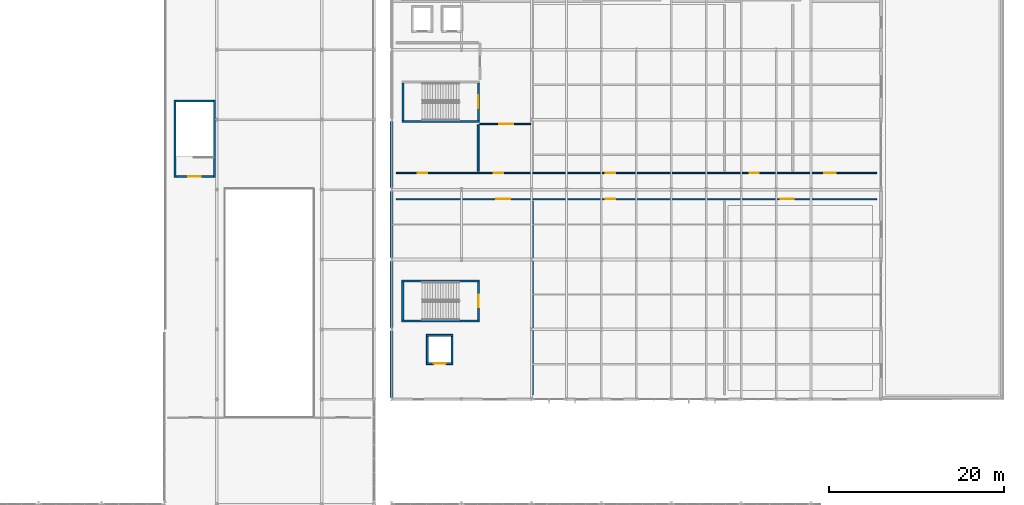
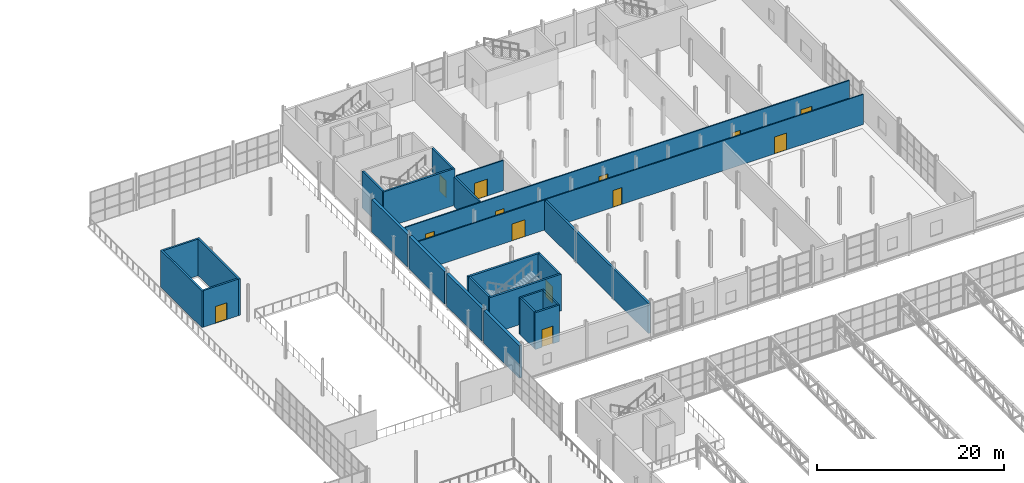
# One storey, part 125 of 143: 24 walls, 13 doors, 13 openings.
"""IFC4 building model written with IfcOpenShell, lengths in metres."""

import ifcopenshell
import ifcopenshell.guid

model = None  # the IFC model being written
_history = None  # IfcOwnerHistory: only IFC2X3 demands one
_inside = {}  # id of a spatial element -> (the spatial element, [elements in it])
_under = {}  # id of a project, library or spatial element -> (it, [spatial elements below it])
_declared = {}  # id of a project -> (the project, [libraries it declares])
_typed = {}  # id of a type object -> (the type object, [elements of that type])
_made_of = {}  # id of a material, layer set ... -> (it, [elements and type objects made of it])


def new_model(schema):
    """Start an empty IFC model of exactly this schema.

    Asked for "IFC4X3", IfcOpenShell would pick the latest addendum, in which some entities
    have other attributes; the version numbers below select the first issue.
    IFC2X3 requires an IfcOwnerHistory on every rooted entity: one is made here for all.
    """
    global model, _history
    if schema == "IFC4X3":
        model = ifcopenshell.file(schema_version=(4, 3, 0, 0))
    else:
        model = ifcopenshell.file(schema=schema)
    _inside.clear()
    _under.clear()
    _declared.clear()
    _typed.clear()
    _made_of.clear()
    _history = None
    if model.schema == "IFC2X3":
        org = make("IfcOrganization", Name="unknown")
        user = make(
            "IfcPersonAndOrganization",
            ThePerson=make("IfcPerson", FamilyName="unknown"),
            TheOrganization=org,
        )
        app = make(
            "IfcApplication",
            ApplicationDeveloper=org,
            Version="unknown",
            ApplicationFullName="unknown",
            ApplicationIdentifier="unknown",
        )
        _history = make(
            "IfcOwnerHistory",
            OwningUser=user,
            OwningApplication=app,
            ChangeAction="ADDED",
            CreationDate=0,
        )
    return model


def make(cls, **values):
    """One entity of the class cls with the attributes given. An attribute that is None is left unset."""
    return model.create_entity(
        cls, **{name: value for name, value in values.items() if value is not None}
    )


def rooted(cls, **values):
    """An entity with a GlobalId (a new one), such as an element, a storey or a relation."""
    return make(cls, GlobalId=ifcopenshell.guid.new(), OwnerHistory=_history, **values)


def si_unit(unit_type, name, prefix=None):
    """IfcSIUnit, for example si_unit("LENGTHUNIT", "METRE", prefix="MILLI")."""
    return make("IfcSIUnit", UnitType=unit_type, Prefix=prefix, Name=name)


def derived_unit(unit_type, elements):
    """IfcDerivedUnit: a product of units, each with its exponent."""
    return make(
        "IfcDerivedUnit",
        Elements=[
            make("IfcDerivedUnitElement", Unit=unit, Exponent=power)
            for unit, power in elements
        ],
        UnitType=unit_type,
    )


def assignment(units):
    """IfcUnitAssignment: the units of a project."""
    return None if units is None else make("IfcUnitAssignment", Units=units)


def point(xyz):
    """IfcCartesianPoint."""
    return None if xyz is None else make("IfcCartesianPoint", Coordinates=xyz)


def direction(xyz):
    """IfcDirection."""
    return None if xyz is None else make("IfcDirection", DirectionRatios=xyz)


def frame(location, z_axis=None, x_axis=None):
    """IfcAxis2Placement3D, a coordinate frame: its origin and axes. An axis left out is left unset."""
    return make(
        "IfcAxis2Placement3D",
        Location=point(location),
        Axis=direction(z_axis),
        RefDirection=direction(x_axis),
    )


def frame_2d(location, x_axis=None):
    """IfcAxis2Placement2D, a coordinate frame in the plane: its origin and x axis."""
    return make(
        "IfcAxis2Placement2D", Location=point(location), RefDirection=direction(x_axis)
    )


def origin():
    """The frame at (0, 0, 0) with its axes left unset."""
    return frame((0.0, 0.0, 0.0))


def place(relative_to, where):
    """IfcLocalPlacement: puts the frame where relative to a parent placement (None: the world)."""
    return make(
        "IfcLocalPlacement", PlacementRelTo=relative_to, RelativePlacement=where
    )


def context(
    kind, dimensions, precision=None, world=None, true_north=None, identifier=None
):
    """IfcGeometricRepresentationContext, for example the 3D "Model" context."""
    return make(
        "IfcGeometricRepresentationContext",
        ContextIdentifier=identifier,
        ContextType=kind,
        CoordinateSpaceDimension=dimensions,
        Precision=precision,
        WorldCoordinateSystem=world,
        TrueNorth=true_north,
    )


def subcontext(parent, identifier, kind, view, scale=None):
    """IfcGeometricRepresentationSubContext, for example "Body" below "Model"."""
    return make(
        "IfcGeometricRepresentationSubContext",
        ContextIdentifier=identifier,
        ContextType=kind,
        ParentContext=parent,
        TargetScale=scale,
        TargetView=view,
    )


def project(units=None, contexts=None):
    """IfcProject with its units and contexts."""
    return rooted(
        "IfcProject",
        Name="project",
        RepresentationContexts=contexts,
        UnitsInContext=assignment(units),
    )


def spatial(cls, under=None, at=None, **own):
    """A site, building, storey or space (cls), placed at a placement, below another one or the project."""
    s = rooted(cls, ObjectPlacement=at, **own)
    if under is not None:
        _under.setdefault(under.id(), (under, []))[1].append(s)
    return s


def profile(cls, at=None, kind="AREA", **sizes):
    """A parametric profile (cls). Its sizes go by their IFC names, for example OverallWidth=200.0."""
    return make(cls, ProfileType=kind, Position=at, **sizes)


def rectangle(**sizes):
    """IfcRectangleProfileDef."""
    return profile("IfcRectangleProfileDef", **sizes)


def extrude(swept, where, along, depth):
    """IfcExtrudedAreaSolid: the profile swept, set in the frame where, extruded along a direction by depth."""
    return make(
        "IfcExtrudedAreaSolid",
        SweptArea=swept,
        Position=where,
        ExtrudedDirection=direction(along),
        Depth=depth,
    )


def shape(context_of_items, identifier, shape_type, items):
    """IfcShapeRepresentation: the items that make up one representation, for example the "Body"."""
    return make(
        "IfcShapeRepresentation",
        ContextOfItems=context_of_items,
        RepresentationIdentifier=identifier,
        RepresentationType=shape_type,
        Items=items,
    )


def material(Name=None, Category=None):
    """IfcMaterial."""
    return make("IfcMaterial", Name=Name, Category=Category)


def layer(
    of_material, thickness, ventilated=None, Name=None, Category=None, Priority=None
):
    """IfcMaterialLayer: one layer of a wall or slab, of a material (None: an air gap)."""
    return make(
        "IfcMaterialLayer",
        Material=of_material,
        LayerThickness=thickness,
        IsVentilated=ventilated,
        Name=Name,
        Category=Category,
        Priority=Priority,
    )


def layer_set(layers, Name=None):
    """IfcMaterialLayerSet."""
    return make("IfcMaterialLayerSet", MaterialLayers=layers, LayerSetName=Name)


def made_of(thing, what):
    """Note that an element or type object is made of a material, layer set ...; save() writes the relation."""
    if what is not None:
        _made_of.setdefault(what.id(), (what, []))[1].append(thing)
    return thing


def type_object(cls, material=None, **own):
    """A type object (cls), such as IfcWallType, which elements share."""
    return made_of(rooted(cls, **own), material)


def element(
    cls,
    number,
    at=None,
    inside=None,
    cuts=None,
    type_object=None,
    material=None,
    context=None,
    identifier="Body",
    shape_type=None,
    held_by="IfcProductDefinitionShape",
    body=None,
    shapes=None,
    **own,
):
    """One element of the class cls, such as IfcWall. Its Tag is "e" and its number.

    at: its placement. inside: the storey or other place that contains it. cuts: it is an
    opening in that element (IfcRelVoidsElement). A single representation is given by context,
    identifier, shape_type and body (its items); several are given by shapes. held_by: the class
    of the entity that holds the representations. save() writes the other relations.
    """
    e = rooted(cls, Tag="e%d" % number, ObjectPlacement=at, **own)
    if body is not None:
        shapes = [shape(context, identifier, shape_type, body)]
    if shapes is not None:
        e.Representation = make(held_by, Representations=shapes)
    if inside is not None:
        _inside.setdefault(inside.id(), (inside, []))[1].append(e)
    if cuts is not None:
        rooted(
            "IfcRelVoidsElement", RelatingBuildingElement=cuts, RelatedOpeningElement=e
        )
    if type_object is not None:
        _typed.setdefault(type_object.id(), (type_object, []))[1].append(e)
    return made_of(e, material)


def fill(opening, filler):
    """IfcRelFillsElement: the door or window that sits in an opening."""
    return rooted(
        "IfcRelFillsElement",
        RelatingOpeningElement=opening,
        RelatedBuildingElement=filler,
    )


def aggregate(whole, parts):
    """IfcRelAggregates: a whole, such as a stair, and the parts it consists of."""
    return rooted("IfcRelAggregates", RelatingObject=whole, RelatedObjects=parts)


def save(model, path):
    """Write the relations noted so far, then the file.

    IfcRelAggregates (storeys below a building ...), IfcRelContainedInSpatialStructure (elements
    in a storey), IfcRelDefinesByType, IfcRelAssociatesMaterial and IfcRelDeclares: one each for
    every whole, place, type object, material and project.
    """
    for whole, parts in _under.values():
        aggregate(whole, parts)
    for where, things in _inside.values():
        rooted(
            "IfcRelContainedInSpatialStructure",
            RelatedElements=things,
            RelatingStructure=where,
        )
    for kind, things in _typed.values():
        rooted("IfcRelDefinesByType", RelatedObjects=things, RelatingType=kind)
    for what, things in _made_of.values():
        rooted("IfcRelAssociatesMaterial", RelatedObjects=things, RelatingMaterial=what)
    for by, libraries in _declared.values():
        rooted("IfcRelDeclares", RelatingContext=by, RelatedDefinitions=libraries)
    model.write(path)


model = new_model("IFC4")

# Units and contexts
model_context = context("Model", 3, precision=1e-05, world=origin(), true_north=direction((0.0, 1.0)))
body_context = subcontext(model_context, "Body", "Model", "MODEL_VIEW")
ifc_project = project(units=[si_unit("LENGTHUNIT", "METRE"), si_unit("AREAUNIT", "SQUARE_METRE"), si_unit("VOLUMEUNIT", "CUBIC_METRE"), si_unit("PLANEANGLEUNIT", "RADIAN"), si_unit("MASSUNIT", "GRAM", prefix="KILO"), derived_unit("THERMALTRANSMITTANCEUNIT", [(si_unit("POWERUNIT", "WATT"), 1), (si_unit("LENGTHUNIT", "METRE"), -2), (si_unit("THERMODYNAMICTEMPERATUREUNIT", "KELVIN"), -1)])], contexts=[model_context])

# Site, building, storey
site_placement = place(None, origin())
site = spatial("IfcSite", under=ifc_project, at=site_placement, CompositionType="ELEMENT")
building_placement = place(site_placement, origin())
building = spatial("IfcBuilding", under=site, at=building_placement, Name="Keldorne Ridge Multi-Sports Centre", CompositionType="ELEMENT")
storey_placement = place(building_placement, frame((0.0, 0.0, 4.800048828125)))
storey = spatial("IfcBuildingStorey", under=building, at=storey_placement, Name="L01", CompositionType="ELEMENT", Elevation=4.800048828125)

# Walls
ifc_material_1 = material(Name="Moisture-resistant stud plumbing wall")
ifc_layer_1 = layer(ifc_material_1, 0.219970703125)
ifc_layer_set_1 = layer_set([ifc_layer_1])
wall_type_1 = type_object("IfcWallType", Name="WAL-PL-01", PredefinedType="PLUMBINGWALL", material=ifc_layer_set_1)
wall_1_placement = place(storey_placement, frame((113.89990234375, 92.10009765625, 0.0), z_axis=(0.0, 0.0, 1.0), x_axis=(0.0, 1.0, 0.0)))
element("IfcWall", 1, at=wall_1_placement, inside=storey, type_object=wall_type_1, Name="First floor Male/Accessible WC divider IW-L01-045", PredefinedType="PLUMBINGWALL", context=body_context, shape_type="SweptSolid", body=[
    extrude(rectangle(XDim=5.2998046875, YDim=0.219970703125, at=frame_2d((2.64990234375, 0.0))), origin(), (0.0, 0.0, 1.0), 3.949951171875),
])
ifc_material_2 = material(Name="Moisture-resistant twin plumbing wall")
ifc_layer_2 = layer(ifc_material_2, 0.260009765625)
ifc_layer_set_2 = layer_set([ifc_layer_2])
wall_type_2 = type_object("IfcWallType", Name="WAL-PL-02", PredefinedType="PLUMBINGWALL", material=ifc_layer_set_2)
wall_2_placement = place(storey_placement, frame((120.10009765625, 66.5, 0.0), z_axis=(0.0, 0.0, 1.0), x_axis=(0.0, 1.0, 0.0)))
element("IfcWall", 2, at=wall_2_placement, inside=storey, type_object=wall_type_2, Name="First floor compartment wall IW-L01-048", PredefinedType="PLUMBINGWALL", context=body_context, shape_type="SweptSolid", body=[
    extrude(rectangle(XDim=22.199951171875, YDim=0.260009765625, at=frame_2d((11.10009765625, 0.0))), origin(), (0.0, 0.0, 1.0), 3.949951171875),
])
ifc_material_3 = material(Name="Precast concrete C40/50", Category="concrete")
ifc_layer_3 = layer(ifc_material_3, 0.360107421875)
ifc_layer_set_3 = layer_set([ifc_layer_3], Name="Precast concrete C40/50")
wall_type_3 = type_object("IfcWallType", Name="WAL-PR-W2", PredefinedType="STANDARD", material=ifc_layer_set_3)
for number, where, z_axis, x_axis, name in (
    (3, (104.0, 73.818115234375, 0.0), (0.0, 0.0, 1.0), (0.0, -1.0, 0.0), "East Wing movement-joint wall L01.1"),
    (4, (104.0, 81.818115234375, 0.0), (0.0, 0.0, 1.0), (0.0, -1.0, 0.0), "East Wing movement-joint wall L01.2"),
    (5, (104.0, 89.818115234375, 0.0), (0.0, 0.0, 1.0), (0.0, -1.0, 0.0), "East Wing movement-joint wall L01.3"),
    (6, (104.0, 97.818115234375, 0.0), (0.0, 0.0, 1.0), (0.0, -1.0, 0.0), "East Wing movement-joint wall L01.4"),
):
    element("IfcWall", number, at=place(storey_placement, frame(where, z_axis=z_axis, x_axis=x_axis)), inside=storey, type_object=wall_type_3, Name=name, PredefinedType="STANDARD", context=body_context, shape_type="SweptSolid", body=[
        extrude(rectangle(XDim=7.63623046875, YDim=0.360107421875, at=frame_2d((3.818115234375, 0.0))), origin(), (0.0, 0.0, 1.0), 4.25),
    ])

# Wall, openings, doors
ifc_material_4 = material(Name="Fire-rated twin stud plasterboard")
ifc_layer_4 = layer(ifc_material_4, 0.14990234375)
ifc_layer_set_4 = layer_set([ifc_layer_4])
wall_type_4 = type_object("IfcWallType", Name="WAL-PT-02", PredefinedType="PARTITIONING", material=ifc_layer_set_4)
wall_3_placement = place(storey_placement, frame((104.5, 88.89990234375, 0.0), z_axis=(0.0, 0.0, 1.0), x_axis=(1.0, 0.0, 0.0)))
wall_3 = element("IfcWall", 7, at=wall_3_placement, inside=storey, type_object=wall_type_4, Name="First floor corridor south wall IW-L01-042", PredefinedType="PARTITIONING", context=body_context, shape_type="SweptSolid", body=[
    extrude(rectangle(XDim=55.0, YDim=0.14990234375, at=frame_2d((27.5, 0.0))), origin(), (0.0, 0.0, 1.0), 3.949951171875),
])
opening_1_placement = place(wall_3_placement, frame((11.5, 0.0, 0.0)))
opening_1 = element("IfcOpeningElement", 8, at=opening_1_placement, cuts=wall_3, Name="Opening D-04", PredefinedType="OPENING", context=body_context, shape_type="SweptSolid", body=[
    extrude(rectangle(XDim=1.60009765625, YDim=2.199951171875, at=frame_2d((0.800048828125, 1.10009765625))), frame((0.0, 0.0849609375, 0.0), z_axis=(0.0, -1.0, 0.0), x_axis=(1.0, 0.0, 0.0)), (0.0, 0.0, 1.0), 0.169921875),
])
opening_2_placement = place(wall_3_placement, frame((24.0, 0.0, 0.0)))
opening_2 = element("IfcOpeningElement", 9, at=opening_2_placement, cuts=wall_3, Name="Opening D-03", PredefinedType="OPENING", context=body_context, shape_type="SweptSolid", body=[
    extrude(rectangle(XDim=1.10009765625, YDim=2.199951171875, at=frame_2d((0.550048828125, 1.10009765625))), frame((0.0, 0.0849609375, 0.0), z_axis=(0.0, -1.0, 0.0), x_axis=(1.0, 0.0, 0.0)), (0.0, 0.0, 1.0), 0.169921875),
])
opening_3_placement = place(wall_3_placement, frame((44.0, 0.0, 0.0)))
opening_3 = element("IfcOpeningElement", 10, at=opening_3_placement, cuts=wall_3, Name="Opening D-10", PredefinedType="OPENING", context=body_context, shape_type="SweptSolid", body=[
    extrude(rectangle(XDim=1.5, YDim=2.199951171875, at=frame_2d((0.75, 1.10009765625))), frame((0.0, 0.0849609375, 0.0), z_axis=(0.0, -1.0, 0.0), x_axis=(1.0, 0.0, 0.0)), (0.0, 0.0, 1.0), 0.169921875),
])
ifc_material_5 = material(Name="Timber fire-resisting leaf", Category="wood")
door_type_1 = type_object("IfcDoorType", Name="DR-D-03", OperationType="NOTDEFINED", PredefinedType="DOOR", material=ifc_material_5)
door_1_placement = place(opening_2_placement, origin())
door_1 = element("IfcDoor", 11, at=door_1_placement, inside=storey, type_object=door_type_1, Name="Public Changing Village South door D-102", OperationType="SINGLE_SWING_RIGHT", OverallHeight=2.199951171875, OverallWidth=1.10009765625, PredefinedType="DOOR", context=body_context, shape_type="SweptSolid", body=[
    extrude(rectangle(XDim=1.10009765625, YDim=2.199951171875, at=frame_2d((0.550048828125, 1.10009765625))), frame((0.0, 0.02490234375, 0.0), z_axis=(0.0, -1.0, 0.0), x_axis=(1.0, 0.0, 0.0)), (0.0, 0.0, 1.0), 0.050048828125),
])
fill(opening_2, door_1)
ifc_material_6 = material(Name="Timber fire-resisting pair", Category="wood")
door_type_2 = type_object("IfcDoorType", Name="DR-D-04", OperationType="NOTDEFINED", PredefinedType="DOOR", material=ifc_material_6)
door_2_placement = place(opening_1_placement, origin())
door_2 = element("IfcDoor", 12, at=door_2_placement, inside=storey, type_object=door_type_2, Name="South lift lobby L01 fire door D-101", OperationType="DOUBLE_DOOR_SINGLE_SWING", OverallHeight=2.199951171875, OverallWidth=1.60009765625, PredefinedType="DOOR", context=body_context, shape_type="SweptSolid", body=[
    extrude(rectangle(XDim=1.60009765625, YDim=2.199951171875, at=frame_2d((0.800048828125, 1.10009765625))), frame((0.0, 0.02490234375, 0.0), z_axis=(0.0, -1.0, 0.0), x_axis=(1.0, 0.0, 0.0)), (0.0, 0.0, 1.0), 0.050048828125),
])
fill(opening_1, door_2)
ifc_material_7 = material(Name="Timber acoustic pair", Category="wood")
door_type_3 = type_object("IfcDoorType", Name="DR-D-10", OperationType="NOTDEFINED", PredefinedType="DOOR", material=ifc_material_7)
door_3_placement = place(opening_3_placement, origin())
door_3 = element("IfcDoor", 13, at=door_3_placement, inside=storey, type_object=door_type_3, Name="Fitness Gymnasium double door D-103", OperationType="DOUBLE_DOOR_SINGLE_SWING", OverallHeight=2.199951171875, OverallWidth=1.5, PredefinedType="DOOR", context=body_context, shape_type="SweptSolid", body=[
    extrude(rectangle(XDim=1.5, YDim=2.199951171875, at=frame_2d((0.75, 1.10009765625))), frame((0.0, 0.02490234375, 0.0), z_axis=(0.0, -1.0, 0.0), x_axis=(1.0, 0.0, 0.0)), (0.0, 0.0, 1.0), 0.050048828125),
])
fill(opening_3, door_3)

wall_4_placement = place(storey_placement, frame((104.5, 91.89990234375, 0.0), z_axis=(0.0, 0.0, 1.0), x_axis=(1.0, 0.0, 0.0)))
wall_4 = element("IfcWall", 14, at=wall_4_placement, inside=storey, type_object=wall_type_4, Name="First floor corridor north wall IW-L01-043", PredefinedType="PARTITIONING", context=body_context, shape_type="SweptSolid", body=[
    extrude(rectangle(XDim=55.0, YDim=0.14990234375, at=frame_2d((27.5, 0.0))), origin(), (0.0, 0.0, 1.0), 3.949951171875),
])
opening_4_placement = place(wall_4_placement, frame((2.5, 0.0, 0.0)))
opening_4 = element("IfcOpeningElement", 15, at=opening_4_placement, cuts=wall_4, Name="Opening D-03", PredefinedType="OPENING", context=body_context, shape_type="SweptSolid", body=[
    extrude(rectangle(XDim=1.10009765625, YDim=2.199951171875, at=frame_2d((0.550048828125, 1.10009765625))), frame((0.0, 0.0849609375, 0.0), z_axis=(0.0, -1.0, 0.0), x_axis=(1.0, 0.0, 0.0)), (0.0, 0.0, 1.0), 0.169921875),
])
opening_5_placement = place(wall_4_placement, frame((11.199951171875, 0.0, 0.0)))
opening_5 = element("IfcOpeningElement", 16, at=opening_5_placement, cuts=wall_4, Name="Opening D-08", PredefinedType="OPENING", context=body_context, shape_type="SweptSolid", body=[
    extrude(rectangle(XDim=1.050048828125, YDim=2.14990234375, at=frame_2d((0.52490234375, 1.074951171875))), frame((0.0, 0.0849609375, 0.0), z_axis=(0.0, -1.0, 0.0), x_axis=(1.0, 0.0, 0.0)), (0.0, 0.0, 1.0), 0.169921875),
])
opening_6_placement = place(wall_4_placement, frame((24.0, 0.0, 0.0)))
opening_6 = element("IfcOpeningElement", 17, at=opening_6_placement, cuts=wall_4, Name="Opening D-03", PredefinedType="OPENING", context=body_context, shape_type="SweptSolid", body=[
    extrude(rectangle(XDim=1.10009765625, YDim=2.199951171875, at=frame_2d((0.550048828125, 1.10009765625))), frame((0.0, 0.0849609375, 0.0), z_axis=(0.0, -1.0, 0.0), x_axis=(1.0, 0.0, 0.0)), (0.0, 0.0, 1.0), 0.169921875),
])
opening_7_placement = place(wall_4_placement, frame((40.5, 0.0, 0.0)))
opening_7 = element("IfcOpeningElement", 18, at=opening_7_placement, cuts=wall_4, Name="Opening D-02", PredefinedType="OPENING", context=body_context, shape_type="SweptSolid", body=[
    extrude(rectangle(XDim=1.0, YDim=2.14990234375, at=frame_2d((0.5, 1.074951171875))), frame((0.0, 0.0849609375, 0.0), z_axis=(0.0, -1.0, 0.0), x_axis=(1.0, 0.0, 0.0)), (0.0, 0.0, 1.0), 0.169921875),
])
opening_8_placement = place(wall_4_placement, frame((49.0, 0.0, 0.0)))
opening_8 = element("IfcOpeningElement", 19, at=opening_8_placement, cuts=wall_4, Name="Opening D-09", PredefinedType="OPENING", context=body_context, shape_type="SweptSolid", body=[
    extrude(rectangle(XDim=1.35009765625, YDim=2.199951171875, at=frame_2d((0.675048828125, 1.10009765625))), frame((0.0, 0.0849609375, 0.0), z_axis=(0.0, -1.0, 0.0), x_axis=(1.0, 0.0, 0.0)), (0.0, 0.0, 1.0), 0.169921875),
])
ifc_material_8 = material(Name="Timber acoustic leaf", Category="wood")
door_type_4 = type_object("IfcDoorType", Name="DR-D-02", OperationType="NOTDEFINED", PredefinedType="DOOR", material=ifc_material_8)
door_4_placement = place(opening_7_placement, origin())
door_4 = element("IfcDoor", 20, at=door_4_placement, inside=storey, type_object=door_type_4, Name="Sports Administration Office door D-107", OperationType="SINGLE_SWING_RIGHT", OverallHeight=2.14990234375, OverallWidth=1.0, PredefinedType="DOOR", context=body_context, shape_type="SweptSolid", body=[
    extrude(rectangle(XDim=1.0, YDim=2.14990234375, at=frame_2d((0.5, 1.074951171875))), frame((0.0, 0.02490234375, 0.0), z_axis=(0.0, -1.0, 0.0), x_axis=(1.0, 0.0, 0.0)), (0.0, 0.0, 1.0), 0.050048828125),
])
fill(opening_7, door_4)
door_5_placement = place(opening_4_placement, origin())
door_5 = element("IfcDoor", 21, at=door_5_placement, inside=storey, type_object=door_type_1, Name="First Floor Male WC door D-104", OperationType="SINGLE_SWING_LEFT", OverallHeight=2.199951171875, OverallWidth=1.10009765625, PredefinedType="DOOR", context=body_context, shape_type="SweptSolid", body=[
    extrude(rectangle(XDim=1.10009765625, YDim=2.199951171875, at=frame_2d((0.550048828125, 1.10009765625))), frame((0.0, 0.02490234375, 0.0), z_axis=(0.0, -1.0, 0.0), x_axis=(1.0, 0.0, 0.0)), (0.0, 0.0, 1.0), 0.050048828125),
])
fill(opening_4, door_5)
door_6_placement = place(opening_6_placement, origin())
door_6 = element("IfcDoor", 22, at=door_6_placement, inside=storey, type_object=door_type_1, Name="Public Changing Village North door D-106", OperationType="SINGLE_SWING_LEFT", OverallHeight=2.199951171875, OverallWidth=1.10009765625, PredefinedType="DOOR", context=body_context, shape_type="SweptSolid", body=[
    extrude(rectangle(XDim=1.10009765625, YDim=2.199951171875, at=frame_2d((0.550048828125, 1.10009765625))), frame((0.0, 0.02490234375, 0.0), z_axis=(0.0, -1.0, 0.0), x_axis=(1.0, 0.0, 0.0)), (0.0, 0.0, 1.0), 0.050048828125),
])
fill(opening_6, door_6)
ifc_material_9 = material(Name="Timber moisture-resistant leaf", Category="wood")
door_type_5 = type_object("IfcDoorType", Name="DR-D-08", OperationType="NOTDEFINED", PredefinedType="DOOR", material=ifc_material_9)
door_7_placement = place(opening_5_placement, origin())
door_7 = element("IfcDoor", 23, at=door_7_placement, inside=storey, type_object=door_type_5, Name="First Floor Accessible WC door D-105", OperationType="SINGLE_SWING_RIGHT", OverallHeight=2.14990234375, OverallWidth=1.050048828125, PredefinedType="DOOR", context=body_context, shape_type="SweptSolid", body=[
    extrude(rectangle(XDim=1.050048828125, YDim=2.14990234375, at=frame_2d((0.52490234375, 1.074951171875))), frame((0.0, 0.02490234375, 0.0), z_axis=(0.0, -1.0, 0.0), x_axis=(1.0, 0.0, 0.0)), (0.0, 0.0, 1.0), 0.050048828125),
])
fill(opening_5, door_7)
door_type_6 = type_object("IfcDoorType", Name="DR-D-09", OperationType="NOTDEFINED", PredefinedType="DOOR", material=ifc_material_7)
door_8_placement = place(opening_8_placement, origin())
door_8 = element("IfcDoor", 24, at=door_8_placement, inside=storey, type_object=door_type_6, Name="Coaching Seminar Room door D-108", OperationType="DOUBLE_DOOR_SINGLE_SWING", OverallHeight=2.199951171875, OverallWidth=1.35009765625, PredefinedType="DOOR", context=body_context, shape_type="SweptSolid", body=[
    extrude(rectangle(XDim=1.35009765625, YDim=2.199951171875, at=frame_2d((0.675048828125, 1.10009765625))), frame((0.0, 0.02490234375, 0.0), z_axis=(0.0, -1.0, 0.0), x_axis=(1.0, 0.0, 0.0)), (0.0, 0.0, 1.0), 0.050048828125),
])
fill(opening_8, door_8)

# Wall, opening, door
wall_5_placement = place(storey_placement, frame((114.10009765625, 97.5, 0.0), z_axis=(0.0, 0.0, 1.0), x_axis=(1.0, 0.0, 0.0)))
wall_5 = element("IfcWall", 25, at=wall_5_placement, inside=storey, type_object=wall_type_4, Name="First floor north lift lobby south wall IW-L01-044", PredefinedType="PARTITIONING", context=body_context, shape_type="SweptSolid", body=[
    extrude(rectangle(XDim=5.7998046875, YDim=0.14990234375, at=frame_2d((2.89990234375, 0.0))), origin(), (0.0, 0.0, 1.0), 3.949951171875),
])
opening_9_placement = place(wall_5_placement, frame((2.199951171875, 0.0, 0.0)))
opening_9 = element("IfcOpeningElement", 26, at=opening_9_placement, cuts=wall_5, Name="Opening D-04", PredefinedType="OPENING", context=body_context, shape_type="SweptSolid", body=[
    extrude(rectangle(XDim=1.60009765625, YDim=2.199951171875, at=frame_2d((0.800048828125, 1.10009765625))), frame((0.0, 0.0849609375, 0.0), z_axis=(0.0, -1.0, 0.0), x_axis=(1.0, 0.0, 0.0)), (0.0, 0.0, 1.0), 0.169921875),
])
door_9_placement = place(opening_9_placement, origin())
door_9 = element("IfcDoor", 27, at=door_9_placement, inside=storey, type_object=door_type_2, Name="North lift lobby L01 fire door D-109", OperationType="DOUBLE_DOOR_SINGLE_SWING", OverallHeight=2.199951171875, OverallWidth=1.60009765625, PredefinedType="DOOR", context=body_context, shape_type="SweptSolid", body=[
    extrude(rectangle(XDim=1.60009765625, YDim=2.199951171875, at=frame_2d((0.800048828125, 1.10009765625))), frame((0.0, 0.02490234375, 0.0), z_axis=(0.0, -1.0, 0.0), x_axis=(1.0, 0.0, 0.0)), (0.0, 0.0, 1.0), 0.050048828125),
])
fill(opening_9, door_9)

ifc_material_10 = material(Name="Concrete C40/50", Category="concrete")
ifc_layer_5 = layer(ifc_material_10, 0.25)
ifc_layer_set_5 = layer_set([ifc_layer_5], Name="Concrete C40/50")
wall_type_5 = type_object("IfcWallType", Name="WAL-SW01", PredefinedType="SHEAR", material=ifc_layer_set_5)
wall_6_placement = place(storey_placement, frame((113.925048828125, 75.10009765625, 0.0), z_axis=(0.0, 0.0, 1.0), x_axis=(0.0, 1.0, 0.0)))
wall_6 = element("IfcWall", 28, at=wall_6_placement, inside=storey, type_object=wall_type_5, Name="Stair ST-02 shaft wall L01 NEAR", PredefinedType="SHEAR", context=body_context, shape_type="SweptSolid", body=[
    extrude(rectangle(XDim=4.2998046875, YDim=0.25, at=frame_2d((2.14990234375, 0.0))), origin(), (0.0, 0.0, 1.0), 4.800048828125),
])
opening_10_placement = place(wall_6_placement, frame((1.425048828125, 0.0, 0.0)))
opening_10 = element("IfcOpeningElement", 29, at=opening_10_placement, cuts=wall_6, Name="Opening D-05", PredefinedType="OPENING", context=body_context, shape_type="SweptSolid", body=[
    extrude(rectangle(XDim=1.449951171875, YDim=2.199951171875, at=frame_2d((0.72509765625, 1.10009765625))), frame((0.0, 0.135009765625, 0.0), z_axis=(0.0, -1.0, 0.0), x_axis=(1.0, 0.0, 0.0)), (0.0, 0.0, 1.0), 0.27001953125),
])
ifc_material_11 = material(Name="Steel fire-resisting pair", Category="steel")
door_type_7 = type_object("IfcDoorType", Name="DR-D-05", OperationType="NOTDEFINED", PredefinedType="DOOR", material=ifc_material_11)
door_10_placement = place(opening_10_placement, origin())
door_10 = element("IfcDoor", 30, at=door_10_placement, inside=storey, type_object=door_type_7, Name="Stair ST-02 L01 fire door D-010", OperationType="DOUBLE_DOOR_SINGLE_SWING", OverallHeight=2.199951171875, OverallWidth=1.449951171875, PredefinedType="DOOR", context=body_context, shape_type="SweptSolid", body=[
    extrude(rectangle(XDim=1.449951171875, YDim=2.199951171875, at=frame_2d((0.72509765625, 1.10009765625))), frame((0.0, 0.02490234375, 0.0), z_axis=(0.0, -1.0, 0.0), x_axis=(1.0, 0.0, 0.0)), (0.0, 0.0, 1.0), 0.050048828125),
])
fill(opening_10, door_10)

# Walls
wall_7_placement = place(storey_placement, frame((105.27490234375, 79.39990234375, 0.0), z_axis=(0.0, 0.0, 1.0), x_axis=(0.0, -1.0, 0.0)))
element("IfcWall", 31, at=wall_7_placement, inside=storey, type_object=wall_type_5, Name="Stair ST-02 shaft wall L01 FAR", PredefinedType="SHEAR", context=body_context, shape_type="SweptSolid", body=[
    extrude(rectangle(XDim=4.2998046875, YDim=0.25, at=frame_2d((2.14990234375, 0.0))), origin(), (0.0, 0.0, 1.0), 4.800048828125),
])
for number, where, z_axis, x_axis, name in (
    (32, (105.14990234375, 74.97509765625, 0.0), (0.0, 0.0, 1.0), (1.0, 0.0, 0.0), "Stair ST-02 shaft wall L01 SOUTH"),
    (33, (114.050048828125, 79.52490234375, 0.0), (0.0, 0.0, 1.0), (-1.0, 0.0, 0.0), "Stair ST-02 shaft wall L01 NORTH"),
):
    element("IfcWall", number, at=place(storey_placement, frame(where, z_axis=z_axis, x_axis=x_axis)), inside=storey, type_object=wall_type_5, Name=name, PredefinedType="SHEAR", context=body_context, shape_type="SweptSolid", body=[
        extrude(rectangle(XDim=8.900146484375, YDim=0.25, at=frame_2d((4.4501953125, 0.0))), origin(), (0.0, 0.0, 1.0), 4.800048828125),
    ])

# Wall, opening, door
ifc_layer_6 = layer(ifc_material_10, 0.22998046875)
ifc_layer_set_6 = layer_set([ifc_layer_6], Name="Concrete C40/50")
wall_type_6 = type_object("IfcWallType", Name="WAL-SW02", PredefinedType="SHEAR", material=ifc_layer_set_6)
wall_8_placement = place(storey_placement, frame((107.97998046875, 70.090087890625, 0.0), z_axis=(0.0, 0.0, 1.0), x_axis=(1.0, 0.0, 0.0)))
wall_8 = element("IfcWall", 34, at=wall_8_placement, inside=storey, type_object=wall_type_6, Name="Lift L-05 shaft wall L01 south", PredefinedType="SHEAR", context=body_context, shape_type="SweptSolid", body=[
    extrude(rectangle(XDim=3.0400390625, YDim=0.219970703125, at=frame_2d((1.52001953125, 0.0))), origin(), (0.0, 0.0, 1.0), 4.800048828125),
])
opening_11_placement = place(wall_8_placement, frame((0.820068359375, 0.0, 0.0)))
opening_11 = element("IfcOpeningElement", 35, at=opening_11_placement, cuts=wall_8, Name="Opening LD-03", PredefinedType="OPENING", context=body_context, shape_type="SweptSolid", body=[
    extrude(rectangle(XDim=1.39990234375, YDim=2.300048828125, at=frame_2d((0.699951171875, 1.14990234375))), frame((0.0, 0.1201171875, 0.0), z_axis=(0.0, -1.0, 0.0), x_axis=(1.0, 0.0, 0.0)), (0.0, 0.0, 1.0), 0.239990234375),
])
ifc_material_12 = material(Name="Stainless steel", Category="steel")
door_type_8 = type_object("IfcDoorType", Name="DR-LD-03", OperationType="NOTDEFINED", PredefinedType="DOOR", material=ifc_material_12)
door_11_placement = place(opening_11_placement, origin())
door_11 = element("IfcDoor", 36, at=door_11_placement, inside=storey, type_object=door_type_8, Name="Lift L-05 sliding landing door L01", OperationType="SLIDING_TO_LEFT", OverallHeight=2.300048828125, OverallWidth=1.39990234375, PredefinedType="DOOR", context=body_context, shape_type="SweptSolid", body=[
    extrude(rectangle(XDim=1.39990234375, YDim=2.300048828125, at=frame_2d((0.699951171875, 1.14990234375))), frame((0.0, 0.02490234375, 0.0), z_axis=(0.0, -1.0, 0.0), x_axis=(1.0, 0.0, 0.0)), (0.0, 0.0, 1.0), 0.050048828125),
])
fill(opening_11, door_11)

# Walls
wall_9_placement = place(storey_placement, frame((111.02001953125, 73.31005859375, 0.0), z_axis=(0.0, 0.0, 1.0), x_axis=(-1.0, 0.0, 0.0)))
element("IfcWall", 37, at=wall_9_placement, inside=storey, type_object=wall_type_6, Name="Lift L-05 shaft wall L01 north", PredefinedType="SHEAR", context=body_context, shape_type="SweptSolid", body=[
    extrude(rectangle(XDim=3.0400390625, YDim=0.219970703125, at=frame_2d((1.52001953125, 0.0))), origin(), (0.0, 0.0, 1.0), 4.800048828125),
])
for number, where, z_axis, x_axis, name in (
    (38, (108.090087890625, 73.199951171875, 0.0), (0.0, 0.0, 1.0), (0.0, -1.0, 0.0), "Lift L-05 shaft wall L01 west"),
    (39, (110.909912109375, 70.199951171875, 0.0), (0.0, 0.0, 1.0), (0.0, 1.0, 0.0), "Lift L-05 shaft wall L01 east"),
):
    element("IfcWall", number, at=place(storey_placement, frame(where, z_axis=z_axis, x_axis=x_axis)), inside=storey, type_object=wall_type_6, Name=name, PredefinedType="SHEAR", context=body_context, shape_type="SweptSolid", body=[
        extrude(rectangle(XDim=3.0, YDim=0.219970703125, at=frame_2d((1.5, 0.0))), origin(), (0.0, 0.0, 1.0), 4.800048828125),
    ])

# Wall, opening, door
wall_10_placement = place(storey_placement, frame((79.300048828125, 91.485107421875, 0.0), z_axis=(0.0, 0.0, 1.0), x_axis=(1.0, 0.0, 0.0)))
wall_10 = element("IfcWall", 40, at=wall_10_placement, inside=storey, type_object=wall_type_6, Name="Stair ST-08 shaft wall L01 NEAR", PredefinedType="SHEAR", context=body_context, shape_type="SweptSolid", body=[
    extrude(rectangle(XDim=4.300048828125, YDim=0.22998046875, at=frame_2d((2.14990234375, 0.0))), origin(), (0.0, 0.0, 1.0), 4.800048828125),
])
opening_12_placement = place(wall_10_placement, frame((1.425048828125, 0.0, 0.0)))
opening_12 = element("IfcOpeningElement", 41, at=opening_12_placement, cuts=wall_10, Name="Opening D-05", PredefinedType="OPENING", context=body_context, shape_type="SweptSolid", body=[
    extrude(rectangle(XDim=1.449951171875, YDim=2.199951171875, at=frame_2d((0.72509765625, 1.10009765625))), frame((0.0, 0.125, 0.0), z_axis=(0.0, -1.0, 0.0), x_axis=(1.0, 0.0, 0.0)), (0.0, 0.0, 1.0), 0.25),
])
door_12_placement = place(opening_12_placement, origin())
door_12 = element("IfcDoor", 42, at=door_12_placement, inside=storey, type_object=door_type_7, Name="Stair ST-08 L01 fire door D-035", OperationType="DOUBLE_DOOR_SINGLE_SWING", OverallHeight=2.199951171875, OverallWidth=1.449951171875, PredefinedType="DOOR", context=body_context, shape_type="SweptSolid", body=[
    extrude(rectangle(XDim=1.449951171875, YDim=2.199951171875, at=frame_2d((0.72509765625, 1.10009765625))), frame((0.0, 0.02490234375, 0.0), z_axis=(0.0, -1.0, 0.0), x_axis=(1.0, 0.0, 0.0)), (0.0, 0.0, 1.0), 0.050048828125),
])
fill(opening_12, door_12)

# Walls
wall_11_placement = place(storey_placement, frame((83.60009765625, 100.114990234375, 0.0), z_axis=(0.0, 0.0, 1.0), x_axis=(-1.0, 0.0, 0.0)))
element("IfcWall", 43, at=wall_11_placement, inside=storey, type_object=wall_type_6, Name="Stair ST-08 shaft wall L01 FAR", PredefinedType="SHEAR", context=body_context, shape_type="SweptSolid", body=[
    extrude(rectangle(XDim=4.300048828125, YDim=0.22998046875, at=frame_2d((2.14990234375, 0.0))), origin(), (0.0, 0.0, 1.0), 4.800048828125),
])
for number, where, z_axis, x_axis, name in (
    (44, (79.18505859375, 91.3701171875, 0.0), (0.0, 0.0, 1.0), (0.0, 1.0, 0.0), "Stair ST-08 shaft wall L01 WEST"),
    (45, (83.715087890625, 100.22998046875, 0.0), (0.0, 0.0, 1.0), (0.0, -1.0, 0.0), "Stair ST-08 shaft wall L01 EAST"),
):
    element("IfcWall", number, at=place(storey_placement, frame(where, z_axis=z_axis, x_axis=x_axis)), inside=storey, type_object=wall_type_6, Name=name, PredefinedType="SHEAR", context=body_context, shape_type="SweptSolid", body=[
        extrude(rectangle(XDim=8.85986328125, YDim=0.22998046875, at=frame_2d((4.429931640625, 0.0))), origin(), (0.0, 0.0, 1.0), 4.800048828125),
    ])

# Wall, opening, door
wall_12_placement = place(storey_placement, frame((113.9150390625, 97.89990234375, 0.0), z_axis=(0.0, 0.0, 1.0), x_axis=(0.0, 1.0, 0.0)))
wall_12 = element("IfcWall", 46, at=wall_12_placement, inside=storey, type_object=wall_type_6, Name="Stair ST-11 shaft wall L01 NEAR", PredefinedType="SHEAR", context=body_context, shape_type="SweptSolid", body=[
    extrude(rectangle(XDim=4.300048828125, YDim=0.22998046875, at=frame_2d((2.14990234375, 0.0))), origin(), (0.0, 0.0, 1.0), 4.800048828125),
])
opening_13_placement = place(wall_12_placement, frame((1.425048828125, 0.0, 0.0)))
opening_13 = element("IfcOpeningElement", 47, at=opening_13_placement, cuts=wall_12, Name="Opening D-05", PredefinedType="OPENING", context=body_context, shape_type="SweptSolid", body=[
    extrude(rectangle(XDim=1.449951171875, YDim=2.199951171875, at=frame_2d((0.72509765625, 1.10009765625))), frame((0.0, 0.125, 0.0), z_axis=(0.0, -1.0, 0.0), x_axis=(1.0, 0.0, 0.0)), (0.0, 0.0, 1.0), 0.25),
])
door_13_placement = place(opening_13_placement, origin())
door_13 = element("IfcDoor", 48, at=door_13_placement, inside=storey, type_object=door_type_7, Name="Stair ST-11 L01 fire door D-047", OperationType="DOUBLE_DOOR_SINGLE_SWING", OverallHeight=2.199951171875, OverallWidth=1.449951171875, PredefinedType="DOOR", context=body_context, shape_type="SweptSolid", body=[
    extrude(rectangle(XDim=1.449951171875, YDim=2.199951171875, at=frame_2d((0.72509765625, 1.10009765625))), frame((0.0, 0.02490234375, 0.0), z_axis=(0.0, -1.0, 0.0), x_axis=(1.0, 0.0, 0.0)), (0.0, 0.0, 1.0), 0.050048828125),
])
fill(opening_13, door_13)

# Walls
wall_13_placement = place(storey_placement, frame((105.284912109375, 102.199951171875, 0.0), z_axis=(0.0, 0.0, 1.0), x_axis=(0.0, -1.0, 0.0)))
element("IfcWall", 49, at=wall_13_placement, inside=storey, type_object=wall_type_6, Name="Stair ST-11 shaft wall L01 FAR", PredefinedType="SHEAR", context=body_context, shape_type="SweptSolid", body=[
    extrude(rectangle(XDim=4.300048828125, YDim=0.22998046875, at=frame_2d((2.14990234375, 0.0))), origin(), (0.0, 0.0, 1.0), 4.800048828125),
])
wall_14_placement = place(storey_placement, frame((105.169921875, 97.784912109375, 0.0), z_axis=(0.0, 0.0, 1.0), x_axis=(1.0, 0.0, 0.0)))
element("IfcWall", 50, at=wall_14_placement, inside=storey, type_object=wall_type_6, Name="Stair ST-11 shaft wall L01 SOUTH", PredefinedType="SHEAR", context=body_context, shape_type="SweptSolid", body=[
    extrude(rectangle(XDim=8.860107421875, YDim=0.22998046875, at=frame_2d((4.43017578125, 0.0))), origin(), (0.0, 0.0, 1.0), 4.800048828125),
])

save(model, "model.ifc")
